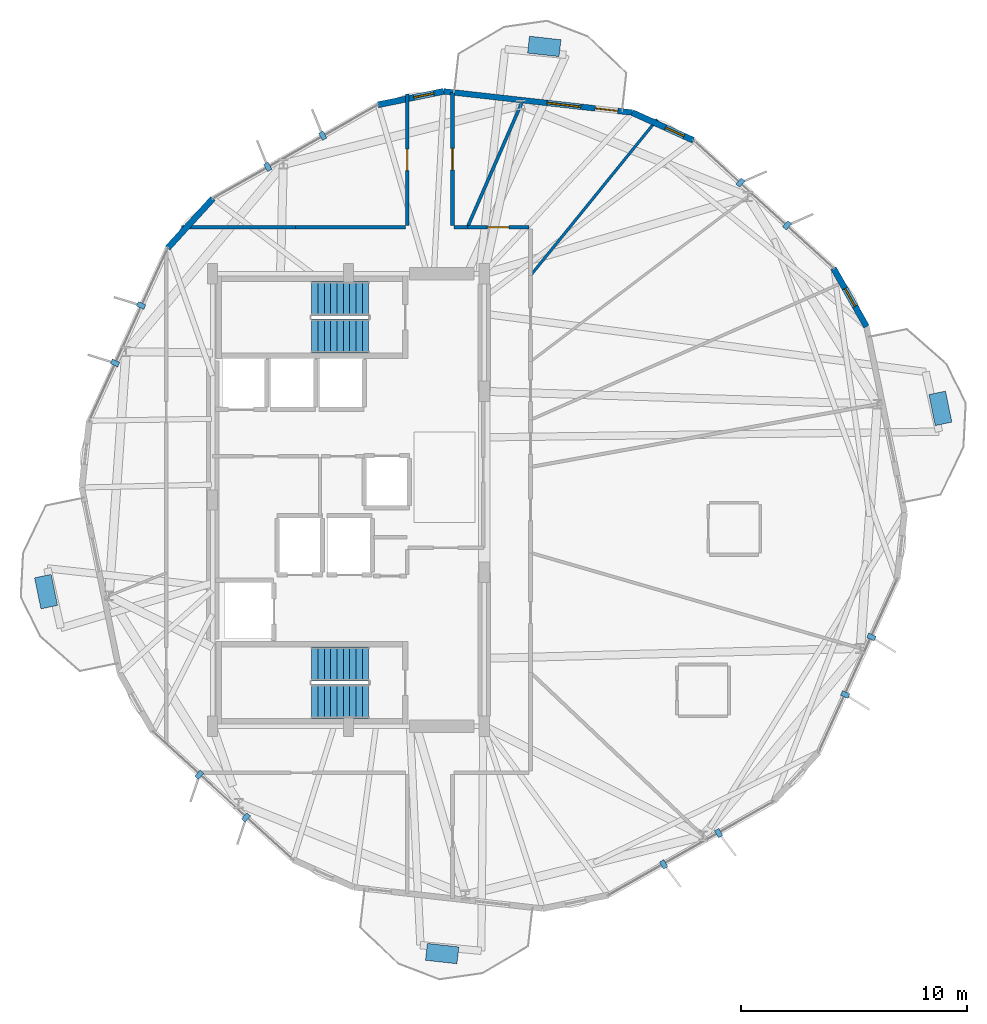
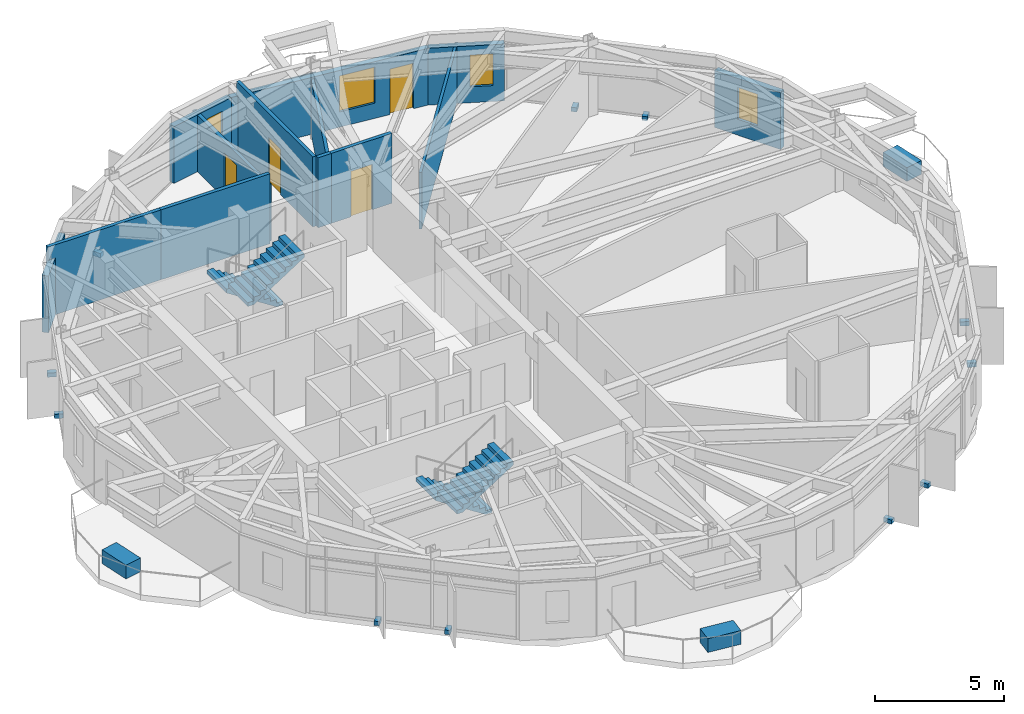
# One storey, part 19 of 22: 16 discrete accessories, 13 walls, 4 doors, 4 stair flights, 4 windows, 8 openings, 2 elements without a shape of their own.
"""IFC4 building model written with IfcOpenShell, lengths in metres."""

from ifc_helpers import new_model, si_unit, direction, frame, frame_2d, origin, origin_2d, place, context, subcontext, project, spatial, polyline, rectangle, outline, extrude, material, layer, layer_set, type_object, element, fill, aggregate, save


model = new_model("IFC4")

# Units and contexts
model_context = context("Model", 3, precision=1e-05, world=origin(), true_north=direction((0.0, 1.0)))
body_context = subcontext(model_context, "Body", "Model", "MODEL_VIEW")
ifc_project = project(units=[si_unit("LENGTHUNIT", "METRE"), si_unit("AREAUNIT", "SQUARE_METRE"), si_unit("VOLUMEUNIT", "CUBIC_METRE"), si_unit("PLANEANGLEUNIT", "RADIAN"), si_unit("MASSUNIT", "GRAM", prefix="KILO")], contexts=[model_context])

# Site, building, storey
site_placement = place(None, origin())
site = spatial("IfcSite", under=ifc_project, at=site_placement, CompositionType="ELEMENT")
building_placement = place(site_placement, origin())
building = spatial("IfcBuilding", under=site, at=building_placement, Name="Soratama Intermodal Tower", CompositionType="ELEMENT")
storey_placement = place(building_placement, frame((0.0, 0.0, 142.60009765625)))
storey = spatial("IfcBuildingStorey", under=building, at=storey_placement, Name="L34", CompositionType="ELEMENT", Elevation=142.60009765625)

# Wall, openings, door, window
ifc_material_1 = material(Name="Concrete f'c 42 MPa", Category="concrete")
ifc_layer_1 = layer(ifc_material_1, 0.25)
ifc_layer_set_1 = layer_set([ifc_layer_1], Name="Concrete f'c 42 MPa")
wall_type_1 = type_object("IfcWallType", Name="EW-BAL-250", PredefinedType="SOLIDWALL", material=ifc_layer_set_1)
wall_1_placement = place(storey_placement, frame((51.144775390625, 42.12109375, 0.0), z_axis=(0.0, 0.0, 1.0), x_axis=(-0.993727918764, 0.111824968001, 0.0)))
wall_1 = element("IfcWall", 1, at=wall_1_placement, inside=storey, type_object=wall_type_1, Name="L34 Terrace Wall F02", PredefinedType="SOLIDWALL", context=body_context, shape_type="SweptSolid", body=[
    extrude(rectangle(XDim=8.383544921875, YDim=0.25, at=frame_2d((4.19189453125, 0.0))), origin(), (0.0, 0.0, 1.0), 2.678955078125),
])
opening_1_placement = place(wall_1_placement, frame((0.64990234375, 0.0, 0.0)))
opening_1 = element("IfcOpeningElement", 2, at=opening_1_placement, cuts=wall_1, Name="Opening ED-2", PredefinedType="OPENING", context=body_context, shape_type="SweptSolid", body=[
    extrude(rectangle(XDim=1.0, YDim=2.14990234375, at=frame_2d((0.5, 1.074951171875))), frame((0.0, 0.135009765625, 0.0), z_axis=(0.0, -1.0, 0.0), x_axis=(1.0, 0.0, 0.0)), (0.0, 0.0, 1.0), 0.27001953125),
])
opening_2_placement = place(wall_1_placement, frame((2.2900390625, 0.0, 0.719970703125)))
opening_2 = element("IfcOpeningElement", 3, at=opening_2_placement, cuts=wall_1, Name="Opening WN-1", PredefinedType="OPENING", context=body_context, shape_type="SweptSolid", body=[
    extrude(rectangle(XDim=1.5, YDim=1.699951171875, at=frame_2d((0.75, 0.85009765625))), frame((0.0, 0.135009765625, 0.0), z_axis=(0.0, -1.0, 0.0), x_axis=(1.0, 0.0, 0.0)), (0.0, 0.0, 1.0), 0.27001953125),
])
ifc_material_2 = material(Name="Double-glazed aluminium door", Category="aluminium")
door_type_1 = type_object("IfcDoorType", Name="DR-BAL-1000", OperationType="NOTDEFINED", PredefinedType="DOOR", material=ifc_material_2)
door_1_placement = place(opening_1_placement, origin())
door_1 = element("IfcDoor", 4, at=door_1_placement, inside=storey, type_object=door_type_1, Name="L34 Balcony Door F02", OperationType="SINGLE_SWING_RIGHT", OverallHeight=2.14990234375, OverallWidth=1.0, PredefinedType="DOOR", context=body_context, shape_type="SweptSolid", body=[
    extrude(rectangle(XDim=1.0, YDim=2.14990234375, at=frame_2d((0.5, 1.074951171875))), frame((0.0, 0.02490234375, 0.0), z_axis=(0.0, -1.0, 0.0), x_axis=(1.0, 0.0, 0.0)), (0.0, 0.0, 1.0), 0.050048828125),
])
fill(opening_1, door_1)
ifc_material_3 = material(Name="Double-glazed aluminium window", Category="aluminium")
window_type_1 = type_object("IfcWindowType", Name="WN-FAC-1500", PartitioningType="SINGLE_PANEL", PredefinedType="WINDOW", material=ifc_material_3)
window_1_placement = place(opening_2_placement, origin())
window_1 = element("IfcWindow", 5, at=window_1_placement, inside=storey, type_object=window_type_1, Name="L34 Window B F02", OverallHeight=1.699951171875, OverallWidth=1.5, PartitioningType="SINGLE_PANEL", PredefinedType="WINDOW", context=body_context, shape_type="SweptSolid", body=[
    extrude(rectangle(XDim=1.5, YDim=1.699951171875, at=frame_2d((0.75, 0.85009765625))), frame((0.0, 0.030029296875, 0.0), z_axis=(0.0, -1.0, 0.0), x_axis=(1.0, 0.0, 0.0)), (0.0, 0.0, 1.0), 0.06005859375),
])
fill(opening_2, window_1)

# Wall, opening, window
ifc_material_4 = material(Name="Concrete f'c 42 MPa", Category="concrete")
ifc_layer_2 = layer(ifc_material_4, 0.27001953125)
ifc_layer_set_2 = layer_set([ifc_layer_2], Name="Concrete f'c 42 MPa")
wall_type_2 = type_object("IfcWallType", Name="EW-CRN-270", PredefinedType="SOLIDWALL", material=ifc_layer_set_2)
wall_2_placement = place(storey_placement, frame((53.845703125, 40.89453125, 0.0), z_axis=(0.0, 0.0, 1.0), x_axis=(-0.910510169674, 0.413486675625, 0.0)))
wall_2 = element("IfcWall", 6, at=wall_2_placement, inside=storey, type_object=wall_type_2, Name="L34 Corner Closure Wall 01", PredefinedType="SOLIDWALL", context=body_context, shape_type="SweptSolid", body=[
    extrude(rectangle(XDim=2.96630859375, YDim=0.27001953125, at=frame_2d((1.483154296875, 0.0))), origin(), (0.0, 0.0, 1.0), 2.678955078125),
])
opening_3_placement = place(wall_2_placement, frame((0.449951171875, 0.0, 0.75)))
opening_3 = element("IfcOpeningElement", 7, at=opening_3_placement, cuts=wall_2, Name="Opening WN-6", PredefinedType="OPENING", context=body_context, shape_type="SweptSolid", body=[
    extrude(rectangle(XDim=0.89990234375, YDim=1.5, at=frame_2d((0.449951171875, 0.75))), frame((0.0, 0.14501953125, 0.0), z_axis=(0.0, -1.0, 0.0), x_axis=(1.0, 0.0, 0.0)), (0.0, 0.0, 1.0), 0.2900390625),
])
ifc_material_5 = material(Name="Double-glazed aluminium window", Category="aluminium")
window_type_2 = type_object("IfcWindowType", Name="WN-FAC-900", PartitioningType="SINGLE_PANEL", PredefinedType="WINDOW", material=ifc_material_5)
window_2_placement = place(opening_3_placement, origin())
window_2 = element("IfcWindow", 8, at=window_2_placement, inside=storey, type_object=window_type_2, Name="L34 Corner Window 01", OverallHeight=1.5, OverallWidth=0.89990234375, PartitioningType="SINGLE_PANEL", PredefinedType="WINDOW", context=body_context, shape_type="SweptSolid", body=[
    extrude(rectangle(XDim=0.89990234375, YDim=1.5, at=frame_2d((0.449951171875, 0.75))), frame((0.0, 0.030029296875, 0.0), z_axis=(0.0, -1.0, 0.0), x_axis=(1.0, 0.0, 0.0)), (0.0, 0.0, 1.0), 0.06005859375),
])
fill(opening_3, window_2)

wall_3_placement = place(storey_placement, frame((42.813720703125, 43.05859375, 0.0), z_axis=(0.0, 0.0, 1.0), x_axis=(-0.97962927764, -0.200814537297, 0.0)))
wall_3 = element("IfcWall", 9, at=wall_3_placement, inside=storey, type_object=wall_type_2, Name="L34 Corner Closure Wall 02", PredefinedType="SOLIDWALL", context=body_context, shape_type="SweptSolid", body=[
    extrude(rectangle(XDim=2.966552734375, YDim=0.27001953125, at=frame_2d((1.4833984375, 0.0))), origin(), (0.0, 0.0, 1.0), 2.678955078125),
])
opening_4_placement = place(wall_3_placement, frame((0.449951171875, 0.0, 0.75)))
opening_4 = element("IfcOpeningElement", 10, at=opening_4_placement, cuts=wall_3, Name="Opening WN-6", PredefinedType="OPENING", context=body_context, shape_type="SweptSolid", body=[
    extrude(rectangle(XDim=0.89990234375, YDim=1.5, at=frame_2d((0.449951171875, 0.75))), frame((0.0, 0.14501953125, 0.0), z_axis=(0.0, -1.0, 0.0), x_axis=(1.0, 0.0, 0.0)), (0.0, 0.0, 1.0), 0.2900390625),
])
window_3_placement = place(opening_4_placement, origin())
window_3 = element("IfcWindow", 11, at=window_3_placement, inside=storey, type_object=window_type_2, Name="L34 Corner Window 02", OverallHeight=1.5, OverallWidth=0.89990234375, PartitioningType="SINGLE_PANEL", PredefinedType="WINDOW", context=body_context, shape_type="SweptSolid", body=[
    extrude(rectangle(XDim=0.89990234375, YDim=1.5, at=frame_2d((0.449951171875, 0.75))), frame((0.0, 0.030029296875, 0.0), z_axis=(0.0, -1.0, 0.0), x_axis=(1.0, 0.0, 0.0)), (0.0, 0.0, 1.0), 0.06005859375),
])
fill(opening_4, window_3)

# Wall
wall_4_placement = place(storey_placement, frame((32.61669921875, 38.32470703125, 0.0), z_axis=(0.0, 0.0, 1.0), x_axis=(-0.67449763944, -0.738277003834, 0.0)))
element("IfcWall", 12, at=wall_4_placement, inside=storey, type_object=wall_type_2, Name="L34 Corner Closure Wall 03", PredefinedType="SOLIDWALL", context=body_context, shape_type="SweptSolid", body=[
    extrude(rectangle(XDim=2.966552734375, YDim=0.27001953125, at=frame_2d((1.4833984375, 0.0))), origin(), (0.0, 0.0, 1.0), 2.678955078125),
])

# Wall, opening, window
wall_5_placement = place(storey_placement, frame((61.4990234375, 32.65966796875, 0.0), z_axis=(0.0, 0.0, 1.0), x_axis=(-0.493637484398, 0.869667772196, 0.0)))
wall_5 = element("IfcWall", 13, at=wall_5_placement, inside=storey, type_object=wall_type_2, Name="L34 Corner Closure Wall 10", PredefinedType="SOLIDWALL", context=body_context, shape_type="SweptSolid", body=[
    extrude(rectangle(XDim=2.966552734375, YDim=0.27001953125, at=frame_2d((1.4833984375, 0.0))), origin(), (0.0, 0.0, 1.0), 2.678955078125),
])
opening_5_placement = place(wall_5_placement, frame((1.033203125, 0.0, 0.75)))
opening_5 = element("IfcOpeningElement", 14, at=opening_5_placement, cuts=wall_5, Name="Opening WN-6", PredefinedType="OPENING", context=body_context, shape_type="SweptSolid", body=[
    extrude(rectangle(XDim=0.89990234375, YDim=1.5, at=frame_2d((0.449951171875, 0.75))), frame((0.0, 0.14501953125, 0.0), z_axis=(0.0, -1.0, 0.0), x_axis=(1.0, 0.0, 0.0)), (0.0, 0.0, 1.0), 0.2900390625),
])
window_4_placement = place(opening_5_placement, origin())
window_4 = element("IfcWindow", 15, at=window_4_placement, inside=storey, type_object=window_type_2, Name="L34 Corner Window 10", OverallHeight=1.5, OverallWidth=0.89990234375, PartitioningType="SINGLE_PANEL", PredefinedType="WINDOW", context=body_context, shape_type="SweptSolid", body=[
    extrude(rectangle(XDim=0.89990234375, YDim=1.5, at=frame_2d((0.449951171875, 0.75))), frame((0.0, 0.030029296875, 0.0), z_axis=(0.0, -1.0, 0.0), x_axis=(1.0, 0.0, 0.0)), (0.0, 0.0, 1.0), 0.06005859375),
])
fill(opening_5, window_4)

# Wall, opening, door
ifc_material_6 = material(Name="Fire-rated gypsum stud partition", Category="concrete")
ifc_layer_3 = layer(ifc_material_6, 0.159912109375)
ifc_layer_set_3 = layer_set([ifc_layer_3], Name="Fire-rated gypsum stud partition")
wall_type_3 = type_object("IfcWallType", Name="IW-PART-R160", PredefinedType="PARTITIONING", material=ifc_layer_set_3)
wall_6_placement = place(storey_placement, frame((43.199951171875, 43.014892578125, 0.0), z_axis=(0.0, 0.0, 1.0), x_axis=(0.0, -1.0, 0.0)))
wall_6 = element("IfcWall", 16, at=wall_6_placement, inside=storey, type_object=wall_type_3, Name="L34 Partition W-L34-TP012", PredefinedType="PARTITIONING", context=body_context, shape_type="SweptSolid", body=[
    extrude(rectangle(XDim=5.894775390625, YDim=0.159912109375, at=frame_2d((2.947265625, 0.0))), origin(), (0.0, 0.0, 1.0), 3.2998046875),
])
opening_6_placement = place(wall_6_placement, frame((2.472900390625, 0.0, 0.0)))
opening_6 = element("IfcOpeningElement", 17, at=opening_6_placement, cuts=wall_6, Name="Opening ID-3", PredefinedType="OPENING", context=body_context, shape_type="SweptSolid", body=[
    extrude(rectangle(XDim=0.949951171875, YDim=2.14990234375, at=frame_2d((0.47509765625, 1.074951171875))), frame((0.0, 0.08984375, 0.0), z_axis=(0.0, -1.0, 0.0), x_axis=(1.0, 0.0, 0.0)), (0.0, 0.0, 1.0), 0.179931640625),
])
ifc_material_7 = material(Name="Solid hardwood acoustic door", Category="wood")
door_type_2 = type_object("IfcDoorType", Name="DR-ROOM-950", OperationType="NOTDEFINED", PredefinedType="DOOR", material=ifc_material_7)
door_2_placement = place(opening_6_placement, origin())
door_2 = element("IfcDoor", 18, at=door_2_placement, inside=storey, type_object=door_type_2, Name="L34 Door D-L34-TP005", OperationType="SINGLE_SWING_RIGHT", OverallHeight=2.14990234375, OverallWidth=0.949951171875, PredefinedType="DOOR", context=body_context, shape_type="SweptSolid", body=[
    extrude(rectangle(XDim=0.949951171875, YDim=2.14990234375, at=frame_2d((0.47509765625, 1.074951171875))), frame((0.0, 0.02490234375, 0.0), z_axis=(0.0, -1.0, 0.0), x_axis=(1.0, 0.0, 0.0)), (0.0, 0.0, 1.0), 0.050048828125),
])
fill(opening_6, door_2)

wall_7_placement = place(storey_placement, frame((41.199951171875, 37.1201171875, 0.0), z_axis=(0.0, 0.0, 1.0), x_axis=(0.0, 1.0, 0.0)))
wall_7 = element("IfcWall", 19, at=wall_7_placement, inside=storey, type_object=wall_type_3, Name="L34 Partition W-L34-TP013", PredefinedType="PARTITIONING", context=body_context, shape_type="SweptSolid", body=[
    extrude(rectangle(XDim=5.827880859375, YDim=0.159912109375, at=frame_2d((2.9140625, 0.0))), origin(), (0.0, 0.0, 1.0), 2.677978515625),
])
opening_7_placement = place(wall_7_placement, frame((2.43896484375, 0.0, 0.0)))
opening_7 = element("IfcOpeningElement", 20, at=opening_7_placement, cuts=wall_7, Name="Opening ID-3", PredefinedType="OPENING", context=body_context, shape_type="SweptSolid", body=[
    extrude(rectangle(XDim=0.949951171875, YDim=2.14990234375, at=frame_2d((0.47509765625, 1.074951171875))), frame((0.0, 0.08984375, 0.0), z_axis=(0.0, -1.0, 0.0), x_axis=(1.0, 0.0, 0.0)), (0.0, 0.0, 1.0), 0.179931640625),
])
door_3_placement = place(opening_7_placement, origin())
door_3 = element("IfcDoor", 21, at=door_3_placement, inside=storey, type_object=door_type_2, Name="L34 Door D-L34-TP006", OperationType="SINGLE_SWING_LEFT", OverallHeight=2.14990234375, OverallWidth=0.949951171875, PredefinedType="DOOR", context=body_context, shape_type="SweptSolid", body=[
    extrude(rectangle(XDim=0.949951171875, YDim=2.14990234375, at=frame_2d((0.47509765625, 1.074951171875))), frame((0.0, 0.02490234375, 0.0), z_axis=(0.0, -1.0, 0.0), x_axis=(1.0, 0.0, 0.0)), (0.0, 0.0, 1.0), 0.050048828125),
])
fill(opening_7, door_3)

# Walls
wall_8_placement = place(storey_placement, frame((31.219970703125, 37.050048828125, 0.0), z_axis=(0.0, 0.0, 1.0), x_axis=(1.0, 0.0, 0.0)))
element("IfcWall", 22, at=wall_8_placement, inside=storey, type_object=wall_type_3, Name="L34 Partition W-L34-TP017", PredefinedType="PARTITIONING", context=body_context, shape_type="SweptSolid", body=[
    extrude(rectangle(XDim=5.047119140625, YDim=0.159912109375, at=frame_2d((2.5234375, 0.0))), origin(), (0.0, 0.0, 1.0), 3.2998046875),
])
wall_9_placement = place(storey_placement, frame((36.26806640625, 37.050048828125, 0.0), z_axis=(0.0, 0.0, 1.0), x_axis=(1.0, 0.0, 0.0)))
element("IfcWall", 23, at=wall_9_placement, inside=storey, type_object=wall_type_3, Name="L34 Partition W-L34-TP018", PredefinedType="PARTITIONING", context=body_context, shape_type="SweptSolid", body=[
    extrude(rectangle(XDim=4.86181640625, YDim=0.159912109375, at=frame_2d((2.430908203125, 0.0))), origin(), (0.0, 0.0, 1.0), 3.2998046875),
])

# Wall, opening, door
wall_10_placement = place(storey_placement, frame((43.860107421875, 37.050048828125, 0.0), z_axis=(0.0, 0.0, 1.0), x_axis=(1.0, 0.0, 0.0)))
wall_10 = element("IfcWall", 24, at=wall_10_placement, inside=storey, type_object=wall_type_3, Name="L34 Partition W-L34-TP026", PredefinedType="PARTITIONING", context=body_context, shape_type="SweptSolid", body=[
    extrude(rectangle(XDim=2.719970703125, YDim=0.159912109375, at=frame_2d((1.35986328125, 0.0))), origin(), (0.0, 0.0, 1.0), 3.2998046875),
])
opening_8_placement = place(wall_10_placement, frame((0.885009765625, 0.0, 0.0)))
opening_8 = element("IfcOpeningElement", 25, at=opening_8_placement, cuts=wall_10, Name="Opening ID-3", PredefinedType="OPENING", context=body_context, shape_type="SweptSolid", body=[
    extrude(rectangle(XDim=0.949951171875, YDim=2.14990234375, at=frame_2d((0.47509765625, 1.074951171875))), frame((0.0, 0.08984375, 0.0), z_axis=(0.0, -1.0, 0.0), x_axis=(1.0, 0.0, 0.0)), (0.0, 0.0, 1.0), 0.179931640625),
])
door_4_placement = place(opening_8_placement, origin())
door_4 = element("IfcDoor", 26, at=door_4_placement, inside=storey, type_object=door_type_2, Name="L34 Door D-L34-TP013", OperationType="SINGLE_SWING_RIGHT", OverallHeight=2.14990234375, OverallWidth=0.949951171875, PredefinedType="DOOR", context=body_context, shape_type="SweptSolid", body=[
    extrude(rectangle(XDim=0.949951171875, YDim=2.14990234375, at=frame_2d((0.47509765625, 1.074951171875))), frame((0.0, 0.02490234375, 0.0), z_axis=(0.0, -1.0, 0.0), x_axis=(1.0, 0.0, 0.0)), (0.0, 0.0, 1.0), 0.050048828125),
])
fill(opening_8, door_4)

# Walls
wall_11_placement = place(storey_placement, frame((43.27001953125, 37.050048828125, 0.0), z_axis=(0.0, 0.0, 1.0), x_axis=(1.0, 0.0, 0.0)))
element("IfcWall", 27, at=wall_11_placement, inside=storey, type_object=wall_type_3, Name="L34 Partition W-L34-TP042", PredefinedType="PARTITIONING", context=body_context, shape_type="SweptSolid", body=[
    extrude(rectangle(XDim=0.590087890625, YDim=0.159912109375, at=frame_2d((0.294921875, 0.0))), origin(), (0.0, 0.0, 1.0), 3.2998046875),
])
ifc_material_8 = material(Name="Fire-rated gypsum stud partition", Category="concrete")
ifc_layer_4 = layer(ifc_material_8, 0.1201171875)
ifc_layer_set_4 = layer_set([ifc_layer_4], Name="Fire-rated gypsum stud partition")
wall_type_4 = type_object("IfcWallType", Name="IW-PART-S120", PredefinedType="PARTITIONING", material=ifc_layer_set_4)
wall_12_placement = place(storey_placement, frame((46.64990234375, 34.9208984375, 0.0), z_axis=(0.0, 0.0, 1.0), x_axis=(0.630130936526, 0.776488894211, 0.0)))
element("IfcWall", 28, at=wall_12_placement, inside=storey, type_object=wall_type_4, Name="L34 Partition W-L34-TP008", PredefinedType="PARTITIONING", context=body_context, shape_type="SweptSolid", body=[
    extrude(rectangle(XDim=8.881103515625, YDim=0.1201171875, at=frame_2d((4.4404296875, 0.0))), origin(), (0.0, 0.0, 1.0), 2.677978515625),
])
ifc_material_9 = material(Name="Fire-rated gypsum stud partition", Category="concrete")
ifc_layer_5 = layer(ifc_material_9, 0.139892578125)
ifc_layer_set_5 = layer_set([ifc_layer_5], Name="Fire-rated gypsum stud partition")
wall_type_5 = type_object("IfcWallType", Name="IW-PART-S140", PredefinedType="PARTITIONING", material=ifc_layer_set_5)
wall_13_placement = place(storey_placement, frame((43.860107421875, 37.050048828125, 0.0), z_axis=(0.0, 0.0, 1.0), x_axis=(0.400047313653, 0.916494488166, 0.0)))
element("IfcWall", 29, at=wall_13_placement, inside=storey, type_object=wall_type_5, Name="L34 Partition W-L34-TP011", PredefinedType="PARTITIONING", context=body_context, shape_type="SweptSolid", body=[
    extrude(rectangle(XDim=6.126708984375, YDim=0.139892578125, at=frame_2d((3.0634765625, 0.0))), origin(), (0.0, 0.0, 1.0), 2.594970703125),
])

# Stair, stair flights
ifc_material_10 = material(Name="Concrete f'c 42 MPa", Category="concrete")
stair_type = type_object("IfcStairType", Name="ST-CORE-DOGLEG", PredefinedType="HALF_TURN_STAIR", material=ifc_material_10)
stair_1_placement = place(storey_placement, origin())
stair_1 = element("IfcStair", 30, at=stair_1_placement, inside=storey, type_object=stair_type, Name="L34 ST-1", PredefinedType="HALF_TURN_STAIR")
ifc_material_11 = material(Name="Precast concrete f'c 40 MPa", Category="concrete")
ifc_layer_6 = layer(ifc_material_11, 0.199951171875)
ifc_layer_set_6 = layer_set([ifc_layer_6], Name="Precast concrete f'c 40 MPa")
stair_flight_type = type_object("IfcStairFlightType", Name="SF-FLIGHT-RC", PredefinedType="STRAIGHT", material=ifc_layer_set_6)
stair_flight_1_placement = place(storey_placement, frame((39.5, 17.75, 0.0), z_axis=(0.0, 0.0, 1.0), x_axis=(-1.0, 0.0, 0.0)))
stair_flight_1 = element("IfcStairFlight", 31, at=stair_flight_1_placement, type_object=stair_flight_type, Name="ST-1 flight 1", NumberOfRisers=10, NumberOfTreads=9, PredefinedType="STRAIGHT", RiserHeight=0.18, TreadLength=0.28, context=body_context, shape_type="SweptSolid", body=[
    extrude(outline(polyline([(0.0, 0.0), (0.0, 0.179931640625), (0.280029296875, 0.179931640625), (0.280029296875, 0.360107421875), (0.56005859375, 0.360107421875), (0.56005859375, 0.5400390625), (0.840087890625, 0.5400390625), (0.840087890625, 0.719970703125), (1.1201171875, 0.719970703125), (1.1201171875, 0.89990234375), (1.39990234375, 0.89990234375), (1.39990234375, 1.080078125), (1.679931640625, 1.080078125), (1.679931640625, 1.260009765625), (1.9599609375, 1.260009765625), (1.9599609375, 1.43994140625), (2.239990234375, 1.43994140625), (2.239990234375, 1.6201171875), (2.52001953125, 1.6201171875), (2.52001953125, 1.800048828125), (2.52001953125, 1.44189453125), (0.277099609375, 0.0), (0.0, 0.0)])), frame((0.0, 0.75, 0.0), z_axis=(0.0, -1.0, 0.0), x_axis=(1.0, 0.0, 0.0)), (0.0, 0.0, 1.0), 1.5),
])
stair_flight_2_placement = place(storey_placement, frame((36.97998046875, 16.10009765625, 1.7998046875), z_axis=(0.0, 0.0, 1.0), x_axis=(1.0, 0.0, 0.0)))
stair_flight_2 = element("IfcStairFlight", 32, at=stair_flight_2_placement, type_object=stair_flight_type, Name="ST-1 flight 2", NumberOfRisers=10, NumberOfTreads=9, PredefinedType="STRAIGHT", RiserHeight=0.18, TreadLength=0.28, context=body_context, shape_type="SweptSolid", body=[
    extrude(outline(polyline([(0.0, 0.0), (0.0, 0.179931640625), (0.280029296875, 0.179931640625), (0.280029296875, 0.360107421875), (0.56005859375, 0.360107421875), (0.56005859375, 0.5400390625), (0.840087890625, 0.5400390625), (0.840087890625, 0.719970703125), (1.1201171875, 0.719970703125), (1.1201171875, 0.89990234375), (1.39990234375, 0.89990234375), (1.39990234375, 1.080078125), (1.679931640625, 1.080078125), (1.679931640625, 1.260009765625), (1.9599609375, 1.260009765625), (1.9599609375, 1.43994140625), (2.239990234375, 1.43994140625), (2.239990234375, 1.6201171875), (2.52001953125, 1.6201171875), (2.52001953125, 1.800048828125), (2.52001953125, 1.44189453125), (0.277099609375, 0.0), (0.0, 0.0)])), frame((0.0, 0.75, 0.0), z_axis=(0.0, -1.0, 0.0), x_axis=(1.0, 0.0, 0.0)), (0.0, 0.0, 1.0), 1.5),
])
aggregate(stair_1, [stair_flight_1, stair_flight_2])

stair_2_placement = place(storey_placement, origin())
stair_2 = element("IfcStair", 33, at=stair_2_placement, inside=storey, type_object=stair_type, Name="L34 ST-2", PredefinedType="HALF_TURN_STAIR")
stair_flight_3_placement = place(storey_placement, frame((39.5, 33.89990234375, 0.0), z_axis=(0.0, 0.0, 1.0), x_axis=(-1.0, 0.0, 0.0)))
stair_flight_3 = element("IfcStairFlight", 34, at=stair_flight_3_placement, type_object=stair_flight_type, Name="ST-2 flight 1", NumberOfRisers=10, NumberOfTreads=9, PredefinedType="STRAIGHT", RiserHeight=0.18, TreadLength=0.28, context=body_context, shape_type="SweptSolid", body=[
    extrude(outline(polyline([(0.0, 0.0), (0.0, 0.179931640625), (0.280029296875, 0.179931640625), (0.280029296875, 0.360107421875), (0.56005859375, 0.360107421875), (0.56005859375, 0.5400390625), (0.840087890625, 0.5400390625), (0.840087890625, 0.719970703125), (1.1201171875, 0.719970703125), (1.1201171875, 0.89990234375), (1.39990234375, 0.89990234375), (1.39990234375, 1.080078125), (1.679931640625, 1.080078125), (1.679931640625, 1.260009765625), (1.9599609375, 1.260009765625), (1.9599609375, 1.43994140625), (2.239990234375, 1.43994140625), (2.239990234375, 1.6201171875), (2.52001953125, 1.6201171875), (2.52001953125, 1.800048828125), (2.52001953125, 1.44189453125), (0.277099609375, 0.0), (0.0, 0.0)])), frame((0.0, 0.75, 0.0), z_axis=(0.0, -1.0, 0.0), x_axis=(1.0, 0.0, 0.0)), (0.0, 0.0, 1.0), 1.5),
])
stair_flight_4_placement = place(storey_placement, frame((36.97998046875, 32.25, 1.7998046875), z_axis=(0.0, 0.0, 1.0), x_axis=(1.0, 0.0, 0.0)))
stair_flight_4 = element("IfcStairFlight", 35, at=stair_flight_4_placement, type_object=stair_flight_type, Name="ST-2 flight 2", NumberOfRisers=10, NumberOfTreads=9, PredefinedType="STRAIGHT", RiserHeight=0.18, TreadLength=0.28, context=body_context, shape_type="SweptSolid", body=[
    extrude(outline(polyline([(0.0, 0.0), (0.0, 0.179931640625), (0.280029296875, 0.179931640625), (0.280029296875, 0.360107421875), (0.56005859375, 0.360107421875), (0.56005859375, 0.5400390625), (0.840087890625, 0.5400390625), (0.840087890625, 0.719970703125), (1.1201171875, 0.719970703125), (1.1201171875, 0.89990234375), (1.39990234375, 0.89990234375), (1.39990234375, 1.080078125), (1.679931640625, 1.080078125), (1.679931640625, 1.260009765625), (1.9599609375, 1.260009765625), (1.9599609375, 1.43994140625), (2.239990234375, 1.43994140625), (2.239990234375, 1.6201171875), (2.52001953125, 1.6201171875), (2.52001953125, 1.800048828125), (2.52001953125, 1.44189453125), (0.277099609375, 0.0), (0.0, 0.0)])), frame((0.0, 0.75, 0.0), z_axis=(0.0, -1.0, 0.0), x_axis=(1.0, 0.0, 0.0)), (0.0, 0.0, 1.0), 1.5),
])
aggregate(stair_2, [stair_flight_3, stair_flight_4])

# Discrete accessories
ifc_material_12 = material(Name="Structural steel ASTM A992 Grade 50", Category="steel")
discrete_accessory_type_1 = type_object("IfcDiscreteAccessoryType", Name="AC-FIN-BRACKET", PredefinedType="BRACKET", material=ifc_material_12)
for number, where, z_axis, x_axis, name in (
    (36, (57.985107421875, 37.139404296875, -0.080078125), (0.0, 0.0, 1.0), (0.674560116039, 0.738219919705, 0.0), "L34 Fin Bracket F01-1"),
    (37, (55.922119140625, 39.0244140625, -0.080078125), (0.0, 0.0, 1.0), (0.674560116039, 0.738219919705, 0.0), "L34 Fin Bracket F01-2"),
    (38, (37.467529296875, 41.100830078125, -0.080078125), (0.0, 0.0, 1.0), (-0.493638325511, 0.869667294767, 0.0), "L34 Fin Bracket F03-1"),
    (39, (35.037109375, 39.721435546875, -0.080078125), (0.0, 0.0, 1.0), (-0.493638325511, 0.869667294767, 0.0), "L34 Fin Bracket F03-2"),
    (40, (29.442138671875, 33.598388671875, -0.080078125), (0.0, 0.0, 1.0), (-0.910539404678, 0.413422293217, 0.0), "L34 Fin Bracket F04-1"),
    (41, (28.286865234375, 31.053955078125, -0.080078125), (0.0, 0.0, 1.0), (-0.910539404678, 0.413422293217, 0.0), "L34 Fin Bracket F04-2"),
    (42, (32.014892578125, 12.860595703125, -0.080078125), (0.0, 0.0, 1.0), (-0.674560116039, -0.738219919705, 0.0), "L34 Fin Bracket F06-1"),
    (43, (34.077880859375, 10.9755859375, -0.080078125), (0.0, 0.0, 1.0), (-0.674560116039, -0.738219919705, 0.0), "L34 Fin Bracket F06-2"),
    (44, (52.532470703125, 8.899169921875, -0.080078125), (0.0, 0.0, 1.0), (0.493638325511, -0.869667294767, 0.0), "L34 Fin Bracket F08-1"),
    (45, (54.962890625, 10.278564453125, -0.080078125), (0.0, 0.0, 1.0), (0.493638325511, -0.869667294767, 0.0), "L34 Fin Bracket F08-2"),
    (46, (60.557861328125, 16.401611328125, -0.080078125), (0.0, 0.0, 1.0), (0.910539404678, -0.413422293217, 0.0), "L34 Fin Bracket F09-1"),
    (47, (61.713134765625, 18.946044921875, -0.080078125), (0.0, 0.0, 1.0), (0.910539404678, -0.413422293217, 0.0), "L34 Fin Bracket F09-2"),
):
    element("IfcDiscreteAccessory", number, at=place(storey_placement, frame(where, z_axis=z_axis, x_axis=x_axis)), inside=storey, type_object=discrete_accessory_type_1, Name=name, PredefinedType="BRACKET", context=body_context, shape_type="SweptSolid", body=[
        extrude(rectangle(XDim=0.360107421875, YDim=0.219970703125, at=origin_2d()), origin(), (0.0, 0.0, 1.0), 0.199951171875),
    ])
ifc_material_13 = material(Name="Precast concrete f'c 40 MPa", Category="concrete")
discrete_accessory_type_2 = type_object("IfcDiscreteAccessoryType", Name="AC-PLANTER-TREE", PredefinedType="USERDEFINED", material=ifc_material_13)
for number, where, z_axis, x_axis, name in (
    (48, (64.76025390625, 29.049072265625, 0.0), (0.0, 0.0, 1.0), (0.979645379354, 0.200735972635, 0.0), "L34 Tree Planter 1"),
    (49, (47.25537109375, 45.044189453125, 0.0), (0.0, 0.0, 1.0), (0.111815815852, 0.99372894862, 0.0), "L34 Tree Planter 2"),
    (50, (25.23974609375, 20.950927734375, 0.0), (0.0, 0.0, 1.0), (-0.979645379354, -0.200735972635, 0.0), "L34 Tree Planter 3"),
    (51, (42.74462890625, 4.955810546875, 0.0), (0.0, 0.0, 1.0), (-0.111815815852, -0.99372894862, 0.0), "L34 Tree Planter 4"),
):
    element("IfcDiscreteAccessory", number, at=place(storey_placement, frame(where, z_axis=z_axis, x_axis=x_axis)), inside=storey, type_object=discrete_accessory_type_2, Name=name, ObjectType="PLANTER", PredefinedType="USERDEFINED", context=body_context, shape_type="SweptSolid", body=[
        extrude(rectangle(XDim=0.75, YDim=1.39990234375, at=origin_2d()), origin(), (0.0, 0.0, 1.0), 0.64990234375),
    ])

save(model, "model.ifc")
